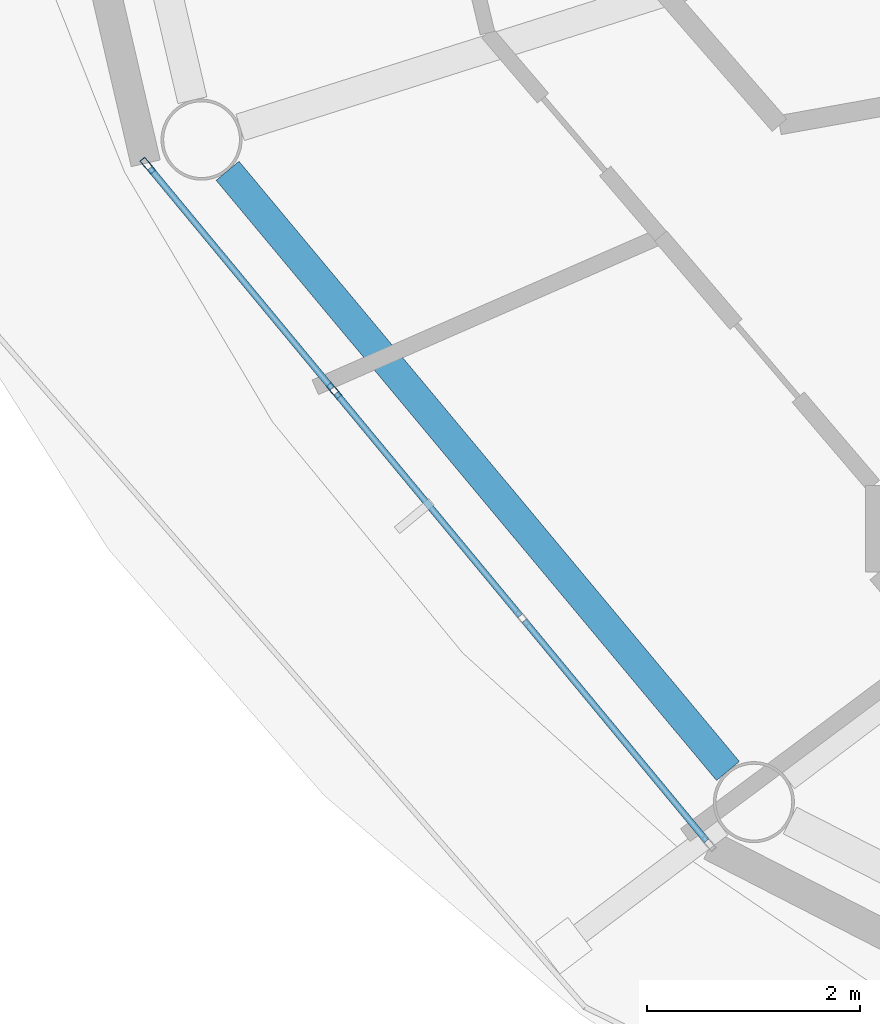
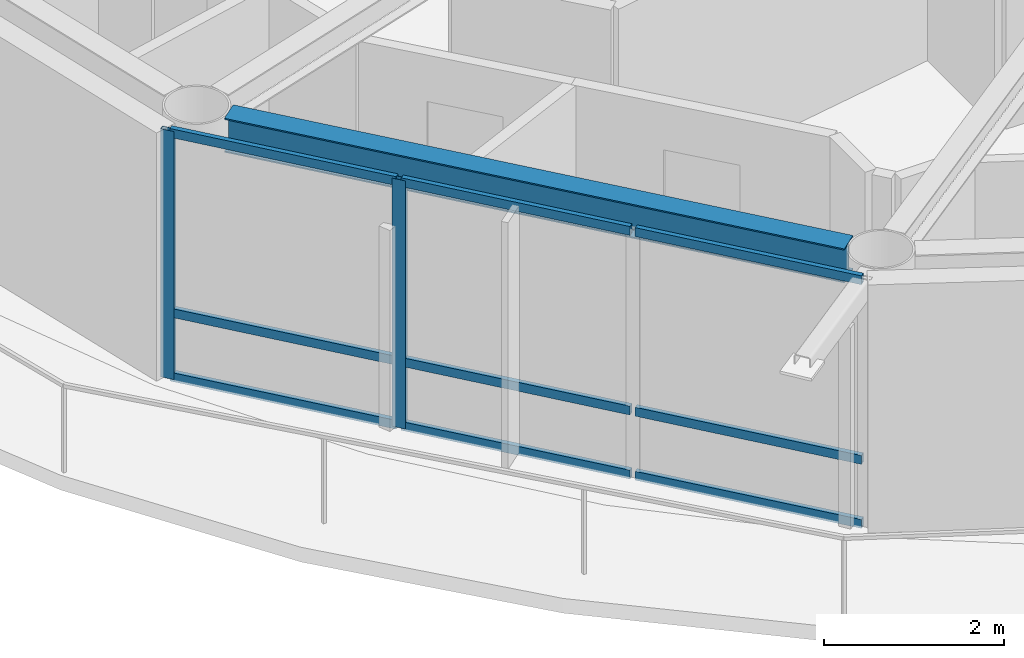
# One storey, part 3 of 22: 11 members, 1 beam, 1 element without a shape of its own.
"""IFC4 building model written with IfcOpenShell, lengths in metres."""

from ifc_helpers import new_model, si_unit, direction, frame, origin, origin_2d, place, context, subcontext, project, spatial, hollow_rectangle, i_section, extrude, material, layer, layer_set, material_profile, profile_set, type_object, element, aggregate, save


model = new_model("IFC4")

# Units and contexts
model_context = context("Model", 3, precision=1e-05, world=origin(), true_north=direction((0.0, 1.0)))
body_context = subcontext(model_context, "Body", "Model", "MODEL_VIEW")
ifc_project = project(units=[si_unit("LENGTHUNIT", "METRE"), si_unit("AREAUNIT", "SQUARE_METRE"), si_unit("VOLUMEUNIT", "CUBIC_METRE"), si_unit("PLANEANGLEUNIT", "RADIAN"), si_unit("MASSUNIT", "GRAM", prefix="KILO")], contexts=[model_context])

# Site, building, storey
site_placement = place(None, origin())
site = spatial("IfcSite", under=ifc_project, at=site_placement, CompositionType="ELEMENT")
building_placement = place(site_placement, origin())
building = spatial("IfcBuilding", under=site, at=building_placement, Name="Sarneth Arch Tower", CompositionType="ELEMENT")
storey_placement = place(building_placement, frame((0.0, 0.0, 283.800048828125)))
storey = spatial("IfcBuildingStorey", under=building, at=storey_placement, Name="L73", CompositionType="ELEMENT", Elevation=283.800048828125)

# Beam
ifc_material_1 = material(Name="Steel S355", Category="steel")
ifc_material_profile_1 = material_profile(ifc_material_1, i_section(OverallWidth=0.280029296875, OverallDepth=0.462890625, WebThickness=0.0107421875, FlangeThickness=0.017333984375, FilletRadius=0.01806640625, at=origin_2d()), Name="W460x113")
ifc_profile_set_1 = profile_set([ifc_material_profile_1], Name="Steel S355")
beam_type = type_object("IfcBeamType", Name="BM-RAD-460A", PredefinedType="BEAM", material=ifc_profile_set_1)
beam_placement = place(storey_placement, frame((25.0751953125, 34.35986328125, 3.138427734375), z_axis=(0.640377192996, -0.768060577487, 0.0), x_axis=(0.768060577487, 0.640377192996, 0.0)))
element("IfcBeam", 1, at=beam_placement, inside=storey, type_object=beam_type, Name="L73 Perimeter spandrel beam 10", PredefinedType="BEAM", context=body_context, shape_type="SweptSolid", body=[
    extrude(i_section(OverallWidth=0.280029296875, OverallDepth=0.462890625, WebThickness=0.0107421875, FlangeThickness=0.017333984375, FilletRadius=0.01806640625, at=origin_2d()), origin(), (0.0, 0.0, 1.0), 7.34814453125),
])

# Curtain wall, members
ifc_material_2 = material(Name="Anodised aluminium Type AA25 and solar-control low-e laminated IGU", Category="aluminium")
ifc_layer = layer(ifc_material_2, 0.179931640625)
ifc_layer_set = layer_set([ifc_layer], Name="Anodised aluminium Type AA25 and solar-control low-e laminated IGU")
curtain_wall_type = type_object("IfcCurtainWallType", Name="CW-RES-HIGH", PredefinedType="NOTDEFINED", material=ifc_layer_set)
curtain_wall_placement = place(storey_placement, origin())
curtain_wall = element("IfcCurtainWall", 2, at=curtain_wall_placement, inside=storey, type_object=curtain_wall_type, Name="L73 Unitised curtain wall facet 10", PredefinedType="NOTDEFINED")
ifc_material_3 = material(Name="Anodised Aluminium 6063-T6", Category="aluminium")
ifc_material_profile_2 = material_profile(ifc_material_3, hollow_rectangle(XDim=0.06005859375, YDim=0.159912109375, WallThickness=0.00390625, at=origin_2d()), Name="AL-MULL-160x60x4")
ifc_profile_set_2 = profile_set([ifc_material_profile_2], Name="Anodised Aluminium 6063-T6")
member_type_1 = type_object("IfcMemberType", Name="CW-MULLION", PredefinedType="MULLION", material=ifc_profile_set_2)
member_1_placement = place(storey_placement, frame((24.325439453125, 34.407470703125, 0.0), z_axis=(0.0, 0.0, 1.0), x_axis=(0.770359245933, 0.637610094184, 0.0)))
member_1 = element("IfcMember", 3, at=member_1_placement, type_object=member_type_1, Name="CW-SYS-6 mullion 1", PredefinedType="MULLION", context=body_context, shape_type="SweptSolid", body=[
    extrude(hollow_rectangle(XDim=0.06005859375, YDim=0.159912109375, WallThickness=0.00390625, at=origin_2d()), origin(), (0.0, 0.0, 1.0), 3.369873046875),
])
member_2_placement = place(storey_placement, frame((26.07666015625, 32.29150390625, 0.0), z_axis=(0.0, 0.0, 1.0), x_axis=(0.770359245933, 0.637610094184, 0.0)))
member_2 = element("IfcMember", 4, at=member_2_placement, type_object=member_type_1, Name="CW-SYS-6 mullion 2", PredefinedType="MULLION", context=body_context, shape_type="SweptSolid", body=[
    extrude(hollow_rectangle(XDim=0.06005859375, YDim=0.159912109375, WallThickness=0.00390625, at=origin_2d()), origin(), (0.0, 0.0, 1.0), 3.369873046875),
])
ifc_material_4 = material(Name="Anodised Aluminium 6063-T6", Category="aluminium")
ifc_material_profile_3 = material_profile(ifc_material_4, hollow_rectangle(XDim=0.06005859375, YDim=0.1201171875, WallThickness=0.00390625, at=origin_2d()), Name="AL-TRAN-120x60x4")
ifc_profile_set_3 = profile_set([ifc_material_profile_3], Name="Anodised Aluminium 6063-T6")
member_type_2 = type_object("IfcMemberType", Name="CW-TRANSOM", PredefinedType="USERDEFINED", material=ifc_profile_set_3)
member_3_placement = place(storey_placement, frame((24.344482421875, 34.38427734375, 0.030029296875), z_axis=(0.637651400067, -0.770325056059, 0.0), x_axis=(0.770325056059, 0.637651400067, 0.0)))
member_3 = element("IfcMember", 5, at=member_3_placement, type_object=member_type_2, Name="CW-SYS-6 transom 1.1", ObjectType="TRANSOM", PredefinedType="USERDEFINED", context=body_context, shape_type="SweptSolid", body=[
    extrude(hollow_rectangle(XDim=0.06005859375, YDim=0.1201171875, WallThickness=0.00390625, at=origin_2d()), origin(), (0.0, 0.0, 1.0), 2.6865234375),
])
member_4_placement = place(storey_placement, frame((24.344482421875, 34.38427734375, 0.89990234375), z_axis=(0.637651400067, -0.770325056059, 0.0), x_axis=(0.770325056059, 0.637651400067, 0.0)))
member_4 = element("IfcMember", 6, at=member_4_placement, type_object=member_type_2, Name="CW-SYS-6 transom 1.2", ObjectType="TRANSOM", PredefinedType="USERDEFINED", context=body_context, shape_type="SweptSolid", body=[
    extrude(hollow_rectangle(XDim=0.06005859375, YDim=0.1201171875, WallThickness=0.00390625, at=origin_2d()), origin(), (0.0, 0.0, 1.0), 2.6865234375),
])
member_5_placement = place(storey_placement, frame((24.344482421875, 34.38427734375, 3.33984375), z_axis=(0.637651400067, -0.770325056059, 0.0), x_axis=(0.770325056059, 0.637651400067, 0.0)))
member_5 = element("IfcMember", 7, at=member_5_placement, type_object=member_type_2, Name="CW-SYS-6 transom 1.3", ObjectType="TRANSOM", PredefinedType="USERDEFINED", context=body_context, shape_type="SweptSolid", body=[
    extrude(hollow_rectangle(XDim=0.06005859375, YDim=0.1201171875, WallThickness=0.00390625, at=origin_2d()), origin(), (0.0, 0.0, 1.0), 2.6865234375),
])
member_6_placement = place(storey_placement, frame((26.095703125, 32.268310546875, 0.030029296875), z_axis=(0.637617371902, -0.770353222261, 0.0), x_axis=(0.770353222261, 0.637617371902, 0.0)))
member_6 = element("IfcMember", 8, at=member_6_placement, type_object=member_type_2, Name="CW-SYS-6 transom 2.1", ObjectType="TRANSOM", PredefinedType="USERDEFINED", context=body_context, shape_type="SweptSolid", body=[
    extrude(hollow_rectangle(XDim=0.06005859375, YDim=0.1201171875, WallThickness=0.00390625, at=origin_2d()), origin(), (0.0, 0.0, 1.0), 2.716552734375),
])
member_7_placement = place(storey_placement, frame((26.095703125, 32.268310546875, 0.89990234375), z_axis=(0.637617371902, -0.770353222261, 0.0), x_axis=(0.770353222261, 0.637617371902, 0.0)))
member_7 = element("IfcMember", 9, at=member_7_placement, type_object=member_type_2, Name="CW-SYS-6 transom 2.2", ObjectType="TRANSOM", PredefinedType="USERDEFINED", context=body_context, shape_type="SweptSolid", body=[
    extrude(hollow_rectangle(XDim=0.06005859375, YDim=0.1201171875, WallThickness=0.00390625, at=origin_2d()), origin(), (0.0, 0.0, 1.0), 2.716552734375),
])
member_8_placement = place(storey_placement, frame((26.095703125, 32.268310546875, 3.33984375), z_axis=(0.637617371902, -0.770353222261, 0.0), x_axis=(0.770353222261, 0.637617371902, 0.0)))
member_8 = element("IfcMember", 10, at=member_8_placement, type_object=member_type_2, Name="CW-SYS-6 transom 2.3", ObjectType="TRANSOM", PredefinedType="USERDEFINED", context=body_context, shape_type="SweptSolid", body=[
    extrude(hollow_rectangle(XDim=0.06005859375, YDim=0.1201171875, WallThickness=0.00390625, at=origin_2d()), origin(), (0.0, 0.0, 1.0), 2.716552734375),
])
member_9_placement = place(storey_placement, frame((27.8662109375, 30.12939453125, 0.030029296875), z_axis=(0.637606765719, -0.770362000821, 0.0), x_axis=(0.770362000821, 0.637606765719, 0.0)))
member_9 = element("IfcMember", 11, at=member_9_placement, type_object=member_type_2, Name="CW-SYS-6 transom 3.1", ObjectType="TRANSOM", PredefinedType="USERDEFINED", context=body_context, shape_type="SweptSolid", body=[
    extrude(hollow_rectangle(XDim=0.06005859375, YDim=0.1201171875, WallThickness=0.00390625, at=origin_2d()), origin(), (0.0, 0.0, 1.0), 2.686767578125),
])
member_10_placement = place(storey_placement, frame((27.8662109375, 30.12939453125, 0.89990234375), z_axis=(0.637606765719, -0.770362000821, 0.0), x_axis=(0.770362000821, 0.637606765719, 0.0)))
member_10 = element("IfcMember", 12, at=member_10_placement, type_object=member_type_2, Name="CW-SYS-6 transom 3.2", ObjectType="TRANSOM", PredefinedType="USERDEFINED", context=body_context, shape_type="SweptSolid", body=[
    extrude(hollow_rectangle(XDim=0.06005859375, YDim=0.1201171875, WallThickness=0.00390625, at=origin_2d()), origin(), (0.0, 0.0, 1.0), 2.686767578125),
])
member_11_placement = place(storey_placement, frame((27.8662109375, 30.12939453125, 3.33984375), z_axis=(0.637606765719, -0.770362000821, 0.0), x_axis=(0.770362000821, 0.637606765719, 0.0)))
member_11 = element("IfcMember", 13, at=member_11_placement, type_object=member_type_2, Name="CW-SYS-6 transom 3.3", ObjectType="TRANSOM", PredefinedType="USERDEFINED", context=body_context, shape_type="SweptSolid", body=[
    extrude(hollow_rectangle(XDim=0.06005859375, YDim=0.1201171875, WallThickness=0.00390625, at=origin_2d()), origin(), (0.0, 0.0, 1.0), 2.686767578125),
])
aggregate(curtain_wall, [member_1, member_2, member_3, member_4, member_5, member_6, member_7, member_8, member_9, member_10, member_11])

save(model, "model.ifc")
